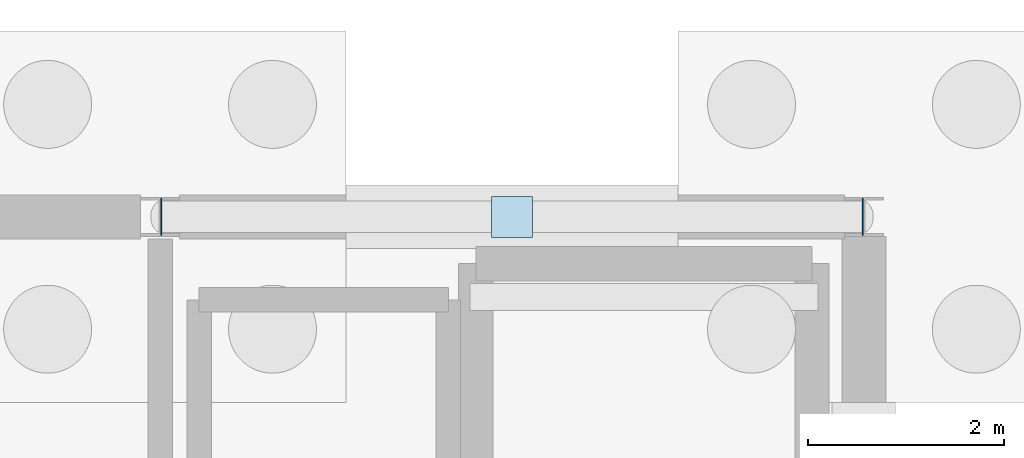
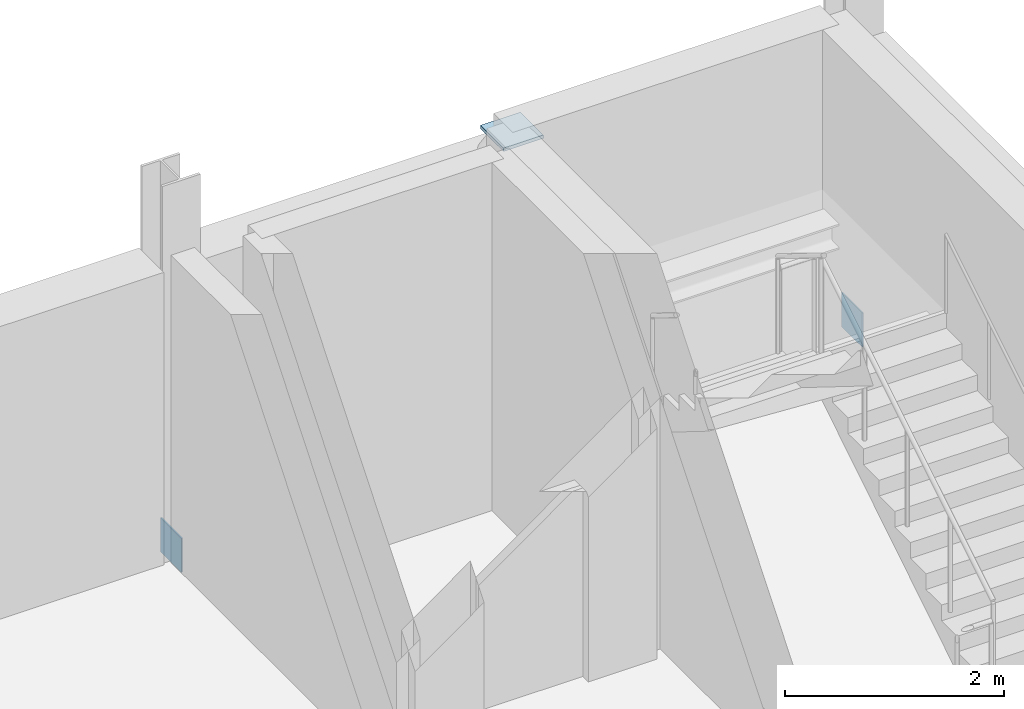
# One storey, part 31 of 50: 3 plates.
"""IFC4 building model written with IfcOpenShell, lengths in metres."""

from ifc_helpers import new_model, si_unit, direction, frame, origin, origin_2d, place, context, subcontext, project, spatial, rectangle, extrude, material, layer, layer_set, type_object, element, save


model = new_model("IFC4")

# Units and contexts
model_context = context("Model", 3, precision=1e-05, world=origin(), true_north=direction((0.0, 1.0)))
body_context = subcontext(model_context, "Body", "Model", "MODEL_VIEW")
ifc_project = project(units=[si_unit("LENGTHUNIT", "METRE"), si_unit("AREAUNIT", "SQUARE_METRE"), si_unit("VOLUMEUNIT", "CUBIC_METRE"), si_unit("PLANEANGLEUNIT", "RADIAN"), si_unit("MASSUNIT", "GRAM", prefix="KILO")], contexts=[model_context])

# Site, building, storey
site_placement = place(None, origin())
site = spatial("IfcSite", under=ifc_project, at=site_placement, CompositionType="ELEMENT")
building_placement = place(site_placement, origin())
building = spatial("IfcBuilding", under=site, at=building_placement, Name="Narikvali Park Central Library", CompositionType="ELEMENT")
storey_placement = place(building_placement, frame((0.0, 0.0, -4.199951171875)))
storey = spatial("IfcBuildingStorey", under=building, at=storey_placement, Name="B1", CompositionType="ELEMENT", Elevation=-4.199951171875)

# Plates
ifc_material = material(Name="Steel S355", Category="steel")
ifc_layer_1 = layer(ifc_material, 0.013916015625, Name="Steel S355")
ifc_layer_set_1 = layer_set([ifc_layer_1], Name="Steel S355")
plate_type_1 = type_object("IfcPlateType", Name="Steel Hollow End Cap Plate 14", PredefinedType="SHEET", material=ifc_layer_set_1)
for number, where, z_axis, x_axis, name in (
    (1, (93.612060546875, 93.60009765625, -0.177734375), (0.0, 0.0, 1.0), (-1.0, 0.0, 0.0), "Hollow Section Steel End Cap BR-ECAP-4-B1-A0"),
    (2, (100.787841796875, 93.60009765625, -0.177734375), (0.0, 0.0, 1.0), (1.0, 0.0, 0.0), "Hollow Section Steel End Cap BR-ECAP-4-B1-B0"),
):
    element("IfcPlate", number, at=place(storey_placement, frame(where, z_axis=z_axis, x_axis=x_axis)), inside=storey, type_object=plate_type_1, Name=name, PredefinedType="SHEET", context=body_context, shape_type="SweptSolid", body=[
        extrude(rectangle(XDim=0.013916015625, YDim=0.3798828125, at=origin_2d()), origin(), (0.0, 0.0, 1.0), 0.3798828125),
    ])
ifc_layer_2 = layer(ifc_material, 0.0380859375, Name="Steel S355")
ifc_layer_set_2 = layer_set([ifc_layer_2], Name="Steel S355")
plate_type_2 = type_object("IfcPlateType", Name="Truss Splice Gusset Plate 38", PredefinedType="SHEET", material=ifc_layer_set_2)
plate_placement = place(storey_placement, frame((97.199951171875, 93.60009765625, 3.3408203125), z_axis=(0.0, 0.0, 1.0), x_axis=(1.0, 0.0, 0.0)))
element("IfcPlate", 3, at=plate_placement, inside=storey, type_object=plate_type_2, Name="V1 B1 Chevron Apex Gusset Cap Plate", PredefinedType="SHEET", context=body_context, shape_type="SweptSolid", body=[
    extrude(rectangle(XDim=0.419921875, YDim=0.419921875, at=origin_2d()), origin(), (0.0, 0.0, 1.0), 0.0380859375),
])

save(model, "model.ifc")
